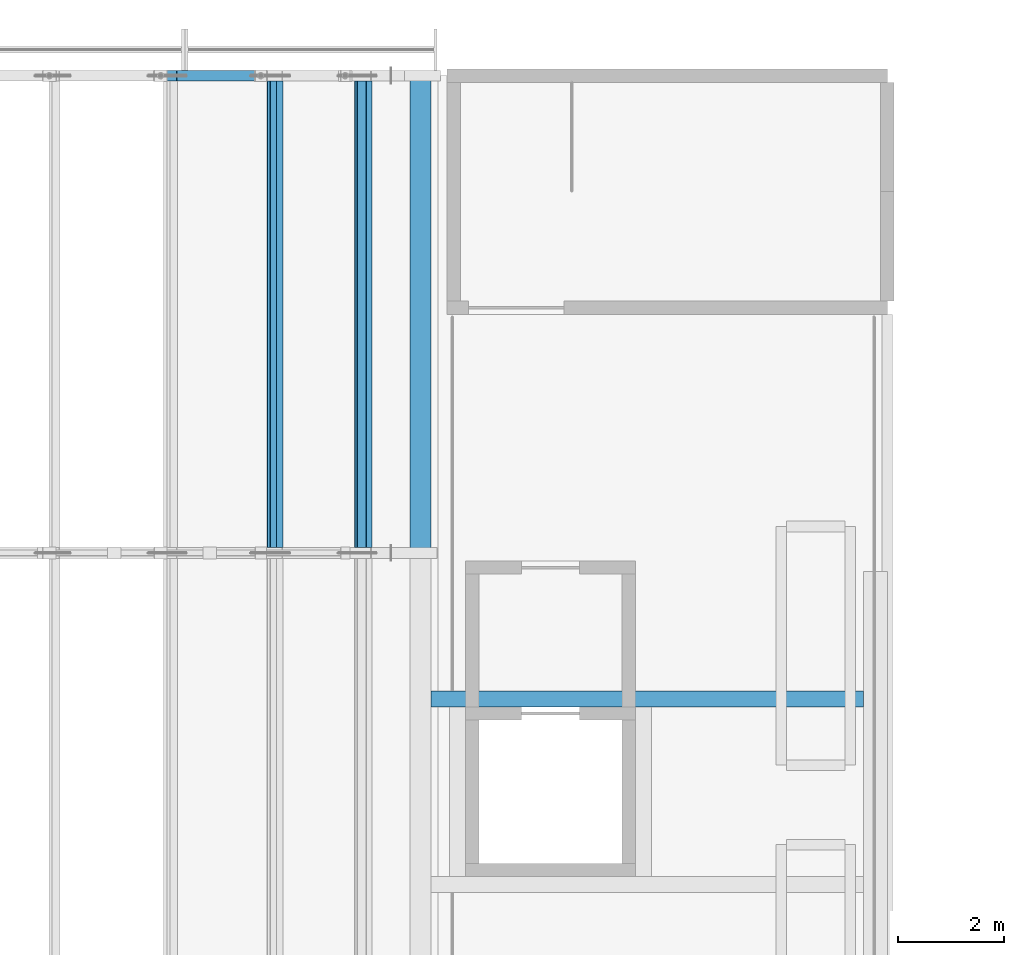
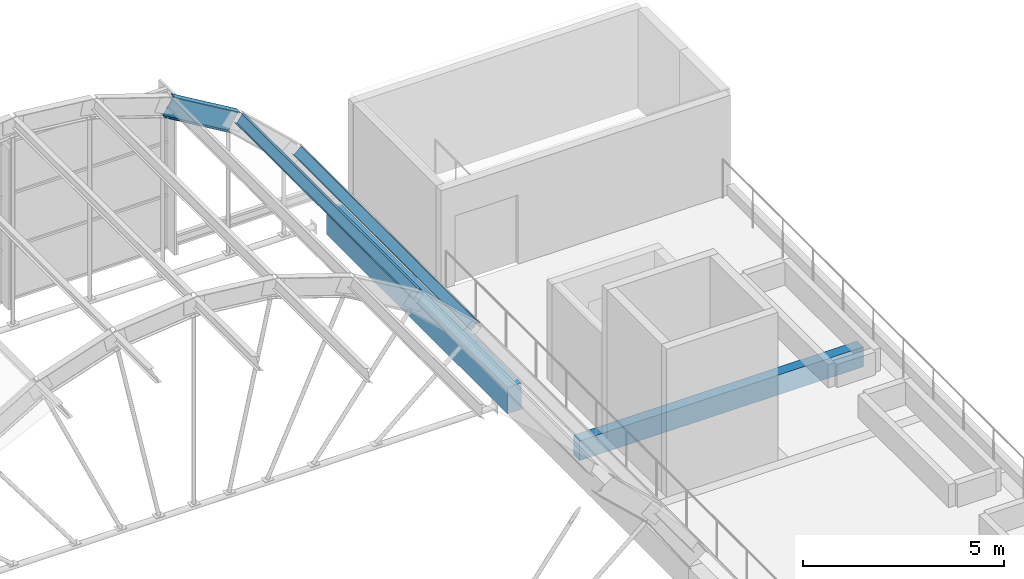
# One storey, part 31 of 79: 3 beams, 2 members.
"""IFC4 building model written with IfcOpenShell, lengths in metres."""

from ifc_helpers import new_model, si_unit, direction, frame, origin, origin_2d, place, context, subcontext, project, spatial, rectangle, i_section, extrude, material, material_profile, profile_set, type_object, element, save


model = new_model("IFC4")

# Units and contexts
model_context = context("Model", 3, precision=1e-05, world=origin(), true_north=direction((0.0, 1.0)))
body_context = subcontext(model_context, "Body", "Model", "MODEL_VIEW")
ifc_project = project(units=[si_unit("LENGTHUNIT", "METRE"), si_unit("AREAUNIT", "SQUARE_METRE"), si_unit("VOLUMEUNIT", "CUBIC_METRE"), si_unit("PLANEANGLEUNIT", "RADIAN"), si_unit("MASSUNIT", "GRAM", prefix="KILO")], contexts=[model_context])

# Site, building, storey
site_placement = place(None, origin())
site = spatial("IfcSite", under=ifc_project, at=site_placement, CompositionType="ELEMENT")
building_placement = place(site_placement, origin())
building = spatial("IfcBuilding", under=site, at=building_placement, Name="Guidao Yard Department Store", CompositionType="ELEMENT")
storey_placement = place(building_placement, frame((0.0, 0.0, 15.0)))
storey = spatial("IfcBuildingStorey", under=building, at=storey_placement, Name="L03", CompositionType="ELEMENT", Elevation=15.0)

# Members
ifc_material_1 = material(Name="Steel Q355B", Category="steel")
ifc_material_profile_1 = material_profile(ifc_material_1, i_section(OverallWidth=0.14990234375, OverallDepth=0.300048828125, WebThickness=0.006591796875, FlangeThickness=0.009033203125, FilletRadius=0.012939453125, at=origin_2d()), Name="HN 300x150x6.5x9")
ifc_profile_set_1 = profile_set([ifc_material_profile_1], Name="Steel Q355B")
member_type = type_object("IfcMemberType", Name="HN 300x150x6.5x9", PredefinedType="PURLIN", material=ifc_profile_set_1)
for number, where, z_axis, x_axis, name in (
    (1, (96.4541015625, 99.10009765625, 3.670166015625), (0.0, 1.0, 0.0), (-0.79928350319, 0.0, 0.600954142617), "Roof purlin C07-08"),
    (2, (98.11669921875, 99.10009765625, 2.110107421875), (0.0, 1.0, 0.0), (-0.649536869322, 0.0, 0.760330096334), "Roof purlin C07-09"),
):
    element("IfcMember", number, at=place(storey_placement, frame(where, z_axis=z_axis, x_axis=x_axis)), inside=storey, type_object=member_type, Name=name, PredefinedType="PURLIN", context=body_context, shape_type="SweptSolid", body=[
        extrude(i_section(OverallWidth=0.14990234375, OverallDepth=0.300048828125, WebThickness=0.006591796875, FlangeThickness=0.009033203125, FilletRadius=0.012939453125, at=origin_2d()), origin(), (0.0, 0.0, 1.0), 8.7998046875),
    ])

# Beams
ifc_material_2 = material(Name="Steel Q355B", Category="steel")
ifc_material_profile_2 = material_profile(ifc_material_2, i_section(OverallWidth=0.199951171875, OverallDepth=0.60009765625, WebThickness=0.010986328125, FlangeThickness=0.01708984375, FilletRadius=0.012939453125, at=origin_2d()), Name="HN 600x200x11x17")
ifc_profile_set_2 = profile_set([ifc_material_profile_2], Name="Steel Q355B")
beam_type_1 = type_object("IfcBeamType", Name="HN 600x200x11x17", PredefinedType="BEAM", material=ifc_profile_set_2)
beam_1_placement = place(storey_placement, frame((94.45068359375, 108.0, 4.693603515625), z_axis=(0.859895907255, 0.0, -0.510469419933), x_axis=(0.0, 1.0, 0.0)))
element("IfcBeam", 3, at=beam_1_placement, inside=storey, type_object=beam_type_1, Name="Roof rib C08-08", PredefinedType="BEAM", context=body_context, shape_type="SweptSolid", body=[
    extrude(i_section(OverallWidth=0.199951171875, OverallDepth=0.60009765625, WebThickness=0.010986328125, FlangeThickness=0.01708984375, FilletRadius=0.012939453125, at=origin_2d()), origin(), (0.0, 0.0, 1.0), 2.19677734375),
])
ifc_material_3 = material(Name="Concrete C40", Category="concrete")
ifc_material_profile_3 = material_profile(ifc_material_3, rectangle(XDim=0.300048828125, YDim=0.60009765625, at=origin_2d()), Name="Opening beam 300 x 600 C40")
ifc_profile_set_3 = profile_set([ifc_material_profile_3], Name="Concrete C40")
beam_type_2 = type_object("IfcBeamType", Name="Opening beam 300 x 600 C40", PredefinedType="BEAM", material=ifc_profile_set_3)
beam_2_placement = place(storey_placement, frame((99.39990234375, 96.25, -0.300048828125), z_axis=(1.0, 0.0, 0.0), x_axis=(0.0, 1.0, 0.0)))
element("IfcBeam", 4, at=beam_2_placement, inside=storey, type_object=beam_type_2, Name="Beam OB30", PredefinedType="BEAM", context=body_context, shape_type="SweptSolid", body=[
    extrude(rectangle(XDim=0.300048828125, YDim=0.60009765625, at=origin_2d()), origin(), (0.0, 0.0, 1.0), 8.150146484375),
])
ifc_material_4 = material(Name="Concrete C40", Category="concrete")
ifc_material_profile_4 = material_profile(ifc_material_4, rectangle(XDim=0.39990234375, YDim=0.800048828125, at=origin_2d()), Name="Vault bearing beam 400 x 800 C40")
ifc_profile_set_4 = profile_set([ifc_material_profile_4], Name="Concrete C40")
beam_type_3 = type_object("IfcBeamType", Name="Vault bearing beam 400 x 800 C40", PredefinedType="BEAM", material=ifc_profile_set_4)
beam_3_placement = place(storey_placement, frame((99.199951171875, 99.0, -0.39990234375), z_axis=(0.0, 1.0, 0.0), x_axis=(-1.0, 0.0, 0.0)))
element("IfcBeam", 5, at=beam_3_placement, inside=storey, type_object=beam_type_3, Name="Beam VB14", PredefinedType="BEAM", context=body_context, shape_type="SweptSolid", body=[
    extrude(rectangle(XDim=0.39990234375, YDim=0.800048828125, at=origin_2d()), origin(), (0.0, 0.0, 1.0), 9.0),
])

save(model, "model.ifc")
